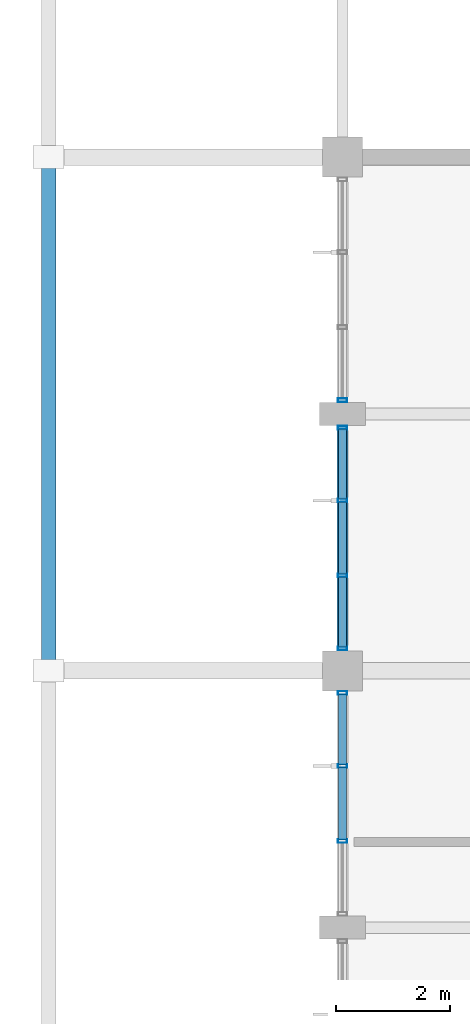
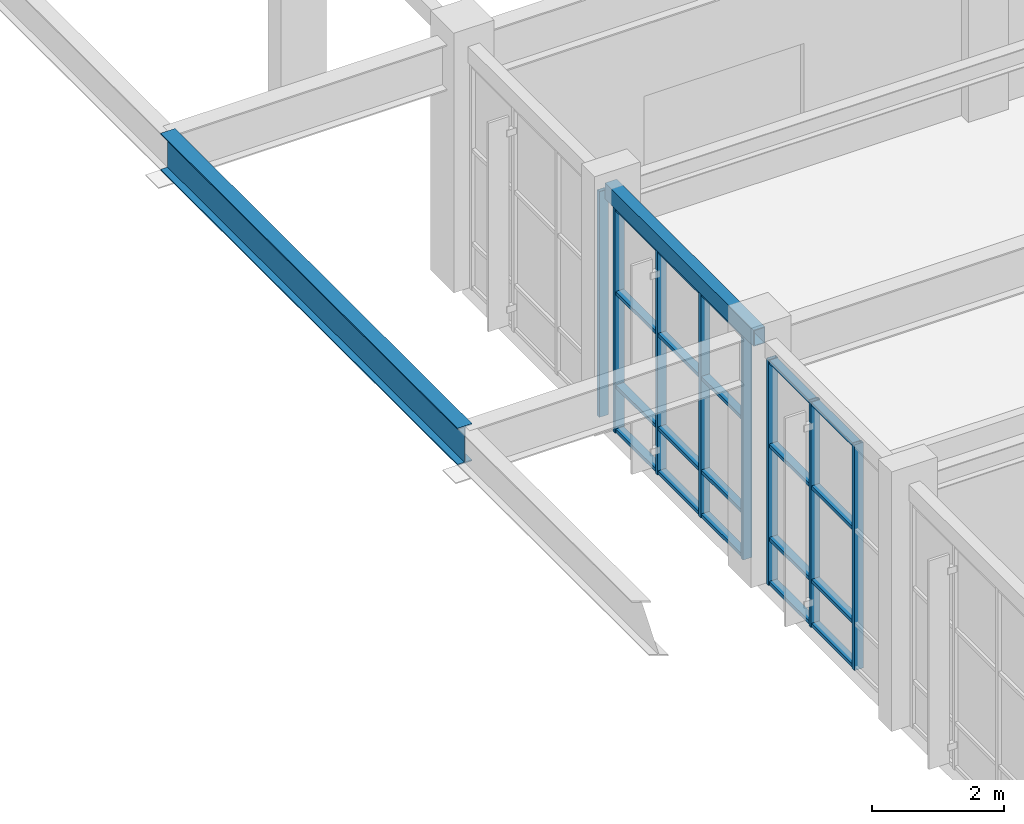
# One storey, part 24 of 99: 28 members, 2 beams, 3 elements without a shape of their own.
"""IFC4 building model written with IfcOpenShell, lengths in metres."""

from ifc_helpers import new_model, si_unit, direction, frame, origin, origin_2d, place, context, subcontext, project, spatial, hollow_rectangle, i_section, extrude, material, layer, layer_set, material_profile, profile_set, type_object, element, aggregate, save


model = new_model("IFC4")

# Units and contexts
model_context = context("Model", 3, precision=1e-05, world=origin(), true_north=direction((0.0, 1.0)))
body_context = subcontext(model_context, "Body", "Model", "MODEL_VIEW")
ifc_project = project(units=[si_unit("LENGTHUNIT", "METRE"), si_unit("AREAUNIT", "SQUARE_METRE"), si_unit("VOLUMEUNIT", "CUBIC_METRE"), si_unit("PLANEANGLEUNIT", "RADIAN"), si_unit("MASSUNIT", "GRAM", prefix="KILO")], contexts=[model_context])

# Site, building, storey
site_placement = place(None, origin())
site = spatial("IfcSite", under=ifc_project, at=site_placement, CompositionType="ELEMENT")
building_placement = place(site_placement, origin())
building = spatial("IfcBuilding", under=site, at=building_placement, Name="Ventoquebrada Cableway Terminal", CompositionType="ELEMENT")
storey_placement = place(building_placement, frame((0.0, 0.0, 9.60009765625)))
storey = spatial("IfcBuildingStorey", under=building, at=storey_placement, Name="L02", CompositionType="ELEMENT", Elevation=9.60009765625)

# Beam
ifc_material_1 = material(Name="Steel ASTM A992 Grade 50", Category="steel")
ifc_material_profile_1 = material_profile(ifc_material_1, i_section(OverallWidth=0.25390625, OverallDepth=0.68798828125, WebThickness=0.01318359375, FlangeThickness=0.02099609375, at=origin_2d()), Name="W27X102")
ifc_profile_set_1 = profile_set([ifc_material_profile_1], Name="Steel ASTM A992 Grade 50")
beam_type_1 = type_object("IfcBeamType", Name="BM-ST04", PredefinedType="BEAM", material=ifc_profile_set_1)
beam_1_placement = place(storey_placement, frame((3.050048828125, 95.0, 4.120849609375), z_axis=(0.0, 1.0, 0.0), x_axis=(-1.0, 0.0, 0.0)))
element("IfcBeam", 1, at=beam_1_placement, inside=storey, type_object=beam_type_1, Name="Cantilever edge girder CB-008", PredefinedType="BEAM", context=body_context, shape_type="SweptSolid", body=[
    extrude(i_section(OverallWidth=0.25390625, OverallDepth=0.68798828125, WebThickness=0.01318359375, FlangeThickness=0.02099609375, at=origin_2d()), origin(), (0.0, 0.0, 1.0), 9.0),
])

# Curtain wall, members
ifc_material_2 = material(Name="Anodized thermally-broken aluminium", Category="aluminium")
ifc_layer = layer(ifc_material_2, 0.159912109375)
ifc_layer_set = layer_set([ifc_layer], Name="Anodized thermally-broken aluminium")
curtain_wall_type = type_object("IfcCurtainWallType", Name="CW-T17", PredefinedType="USERDEFINED", material=ifc_layer_set)
curtain_wall_1_placement = place(storey_placement, origin())
curtain_wall_1 = element("IfcCurtainWall", 2, at=curtain_wall_1_placement, inside=storey, type_object=curtain_wall_type, Name="Unitised glazed curtain wall CW-047", ObjectType="UNITISED CURTAIN WALL", PredefinedType="USERDEFINED")
ifc_material_profile_2 = material_profile(ifc_material_2, hollow_rectangle(XDim=0.06494140625, YDim=0.159912109375, WallThickness=0.00390625, at=origin_2d()), Name="CW-MUL-65X160")
ifc_profile_set_2 = profile_set([ifc_material_profile_2], Name="Anodized thermally-broken aluminium")
member_type_1 = type_object("IfcMemberType", Name="CWM-01", PredefinedType="MULLION", material=ifc_profile_set_2)
member_1_placement = place(storey_placement, frame((8.199951171875, 94.610107421875, -0.008056640625), z_axis=(0.0, 0.0, 1.0), x_axis=(0.0, -1.0, 0.0)))
member_1 = element("IfcMember", 3, at=member_1_placement, type_object=member_type_1, Name="Curtain wall mullion FML-0212", PredefinedType="MULLION", context=body_context, shape_type="SweptSolid", body=[
    extrude(hollow_rectangle(XDim=0.06494140625, YDim=0.159912109375, WallThickness=0.00390625, at=origin_2d()), origin(), (0.0, 0.0, 1.0), 4.1728515625),
])
member_2_placement = place(storey_placement, frame((8.199951171875, 93.33203125, -0.008056640625), z_axis=(0.0, 0.0, 1.0), x_axis=(0.0, -1.0, 0.0)))
member_2 = element("IfcMember", 4, at=member_2_placement, type_object=member_type_1, Name="Curtain wall mullion FML-0213", PredefinedType="MULLION", context=body_context, shape_type="SweptSolid", body=[
    extrude(hollow_rectangle(XDim=0.06494140625, YDim=0.159912109375, WallThickness=0.00390625, at=origin_2d()), origin(), (0.0, 0.0, 1.0), 4.1728515625),
])
member_3_placement = place(storey_placement, frame((8.199951171875, 92.01806640625, -0.008056640625), z_axis=(0.0, 0.0, 1.0), x_axis=(0.0, -1.0, 0.0)))
member_3 = element("IfcMember", 5, at=member_3_placement, type_object=member_type_1, Name="Curtain wall mullion FML-0214", PredefinedType="MULLION", context=body_context, shape_type="SweptSolid", body=[
    extrude(hollow_rectangle(XDim=0.06494140625, YDim=0.159912109375, WallThickness=0.00390625, at=origin_2d()), origin(), (0.0, 0.0, 1.0), 4.1728515625),
])

# Curtain wall, member
curtain_wall_2_placement = place(storey_placement, origin())
curtain_wall_2 = element("IfcCurtainWall", 6, at=curtain_wall_2_placement, inside=storey, type_object=curtain_wall_type, Name="Unitised glazed curtain wall CW-049", ObjectType="UNITISED CURTAIN WALL", PredefinedType="USERDEFINED")
member_4_placement = place(storey_placement, frame((8.199951171875, 99.739990234375, -0.008056640625), z_axis=(0.0, 0.0, 1.0), x_axis=(0.0, -1.0, 0.0)))
member_4 = element("IfcMember", 7, at=member_4_placement, type_object=member_type_1, Name="Curtain wall mullion FML-0223", PredefinedType="MULLION", context=body_context, shape_type="SweptSolid", body=[
    extrude(hollow_rectangle(XDim=0.06494140625, YDim=0.159912109375, WallThickness=0.00390625, at=origin_2d()), origin(), (0.0, 0.0, 1.0), 4.1728515625),
])
aggregate(curtain_wall_2, [member_4])

# Curtain wall, members
curtain_wall_3_placement = place(storey_placement, origin())
curtain_wall_3 = element("IfcCurtainWall", 8, at=curtain_wall_3_placement, inside=storey, type_object=curtain_wall_type, Name="Unitised glazed curtain wall CW-050", ObjectType="UNITISED CURTAIN WALL", PredefinedType="USERDEFINED")
member_5_placement = place(storey_placement, frame((8.199951171875, 99.260009765625, -0.008056640625), z_axis=(0.0, 0.0, 1.0), x_axis=(0.0, -1.0, 0.0)))
member_5 = element("IfcMember", 9, at=member_5_placement, type_object=member_type_1, Name="Curtain wall mullion FML-0224", PredefinedType="MULLION", context=body_context, shape_type="SweptSolid", body=[
    extrude(hollow_rectangle(XDim=0.06494140625, YDim=0.159912109375, WallThickness=0.00390625, at=origin_2d()), origin(), (0.0, 0.0, 1.0), 4.1728515625),
])
member_6_placement = place(storey_placement, frame((8.199951171875, 97.98193359375, -0.008056640625), z_axis=(0.0, 0.0, 1.0), x_axis=(0.0, -1.0, 0.0)))
member_6 = element("IfcMember", 10, at=member_6_placement, type_object=member_type_1, Name="Curtain wall mullion FML-0225", PredefinedType="MULLION", context=body_context, shape_type="SweptSolid", body=[
    extrude(hollow_rectangle(XDim=0.06494140625, YDim=0.159912109375, WallThickness=0.00390625, at=origin_2d()), origin(), (0.0, 0.0, 1.0), 4.1728515625),
])
member_7_placement = place(storey_placement, frame((8.199951171875, 96.66796875, -0.008056640625), z_axis=(0.0, 0.0, 1.0), x_axis=(0.0, -1.0, 0.0)))
member_7 = element("IfcMember", 11, at=member_7_placement, type_object=member_type_1, Name="Curtain wall mullion FML-0226", PredefinedType="MULLION", context=body_context, shape_type="SweptSolid", body=[
    extrude(hollow_rectangle(XDim=0.06494140625, YDim=0.159912109375, WallThickness=0.00390625, at=origin_2d()), origin(), (0.0, 0.0, 1.0), 4.1728515625),
])
member_8_placement = place(storey_placement, frame((8.199951171875, 95.389892578125, -0.008056640625), z_axis=(0.0, 0.0, 1.0), x_axis=(0.0, -1.0, 0.0)))
member_8 = element("IfcMember", 12, at=member_8_placement, type_object=member_type_1, Name="Curtain wall mullion FML-0227", PredefinedType="MULLION", context=body_context, shape_type="SweptSolid", body=[
    extrude(hollow_rectangle(XDim=0.06494140625, YDim=0.159912109375, WallThickness=0.00390625, at=origin_2d()), origin(), (0.0, 0.0, 1.0), 4.1728515625),
])

# Member
ifc_material_profile_3 = material_profile(ifc_material_2, hollow_rectangle(XDim=0.06494140625, YDim=0.139892578125, WallThickness=0.00390625, at=origin_2d()), Name="CW-TRN-65X140")
ifc_profile_set_3 = profile_set([ifc_material_profile_3], Name="Anodized thermally-broken aluminium")
member_type_2 = type_object("IfcMemberType", Name="CWT-01", PredefinedType="USERDEFINED", material=ifc_profile_set_3)
member_9_placement = place(storey_placement, frame((8.199951171875, 94.58203125, 0.034912109375), z_axis=(0.0, -1.0, 0.0), x_axis=(0.0, 0.0, 1.0)))
member_9 = element("IfcMember", 13, at=member_9_placement, type_object=member_type_2, Name="Curtain wall transom FTR-0639", ObjectType="TRANSOM", PredefinedType="USERDEFINED", context=body_context, shape_type="SweptSolid", body=[
    extrude(hollow_rectangle(XDim=0.06494140625, YDim=0.139892578125, WallThickness=0.00390625, at=origin_2d()), origin(), (0.0, 0.0, 1.0), 1.22314453125),
])

member_10_placement = place(storey_placement, frame((8.199951171875, 94.58203125, 0.849853515625), z_axis=(0.0, -1.0, 0.0), x_axis=(0.0, 0.0, 1.0)))
member_10 = element("IfcMember", 14, at=member_10_placement, type_object=member_type_2, Name="Curtain wall transom FTR-0640", ObjectType="TRANSOM", PredefinedType="USERDEFINED", context=body_context, shape_type="SweptSolid", body=[
    extrude(hollow_rectangle(XDim=0.06494140625, YDim=0.139892578125, WallThickness=0.00390625, at=origin_2d()), origin(), (0.0, 0.0, 1.0), 1.22314453125),
])

member_11_placement = place(storey_placement, frame((8.199951171875, 94.58203125, 2.578857421875), z_axis=(0.0, -1.0, 0.0), x_axis=(0.0, 0.0, 1.0)))
member_11 = element("IfcMember", 15, at=member_11_placement, type_object=member_type_2, Name="Curtain wall transom FTR-0641", ObjectType="TRANSOM", PredefinedType="USERDEFINED", context=body_context, shape_type="SweptSolid", body=[
    extrude(hollow_rectangle(XDim=0.06494140625, YDim=0.139892578125, WallThickness=0.00390625, at=origin_2d()), origin(), (0.0, 0.0, 1.0), 1.22314453125),
])

member_12_placement = place(storey_placement, frame((8.199951171875, 94.58203125, 4.125), z_axis=(0.0, -1.0, 0.0), x_axis=(0.0, 0.0, 1.0)))
member_12 = element("IfcMember", 16, at=member_12_placement, type_object=member_type_2, Name="Curtain wall transom FTR-0642", ObjectType="TRANSOM", PredefinedType="USERDEFINED", context=body_context, shape_type="SweptSolid", body=[
    extrude(hollow_rectangle(XDim=0.06494140625, YDim=0.139892578125, WallThickness=0.00390625, at=origin_2d()), origin(), (0.0, 0.0, 1.0), 1.22314453125),
])

member_13_placement = place(storey_placement, frame((8.199951171875, 93.303955078125, 0.034912109375), z_axis=(0.0, -1.0, 0.0), x_axis=(0.0, 0.0, 1.0)))
member_13 = element("IfcMember", 17, at=member_13_placement, type_object=member_type_2, Name="Curtain wall transom FTR-0643", ObjectType="TRANSOM", PredefinedType="USERDEFINED", context=body_context, shape_type="SweptSolid", body=[
    extrude(hollow_rectangle(XDim=0.06494140625, YDim=0.139892578125, WallThickness=0.00390625, at=origin_2d()), origin(), (0.0, 0.0, 1.0), 1.258056640625),
])

member_14_placement = place(storey_placement, frame((8.199951171875, 93.303955078125, 0.849853515625), z_axis=(0.0, -1.0, 0.0), x_axis=(0.0, 0.0, 1.0)))
member_14 = element("IfcMember", 18, at=member_14_placement, type_object=member_type_2, Name="Curtain wall transom FTR-0644", ObjectType="TRANSOM", PredefinedType="USERDEFINED", context=body_context, shape_type="SweptSolid", body=[
    extrude(hollow_rectangle(XDim=0.06494140625, YDim=0.139892578125, WallThickness=0.00390625, at=origin_2d()), origin(), (0.0, 0.0, 1.0), 1.258056640625),
])

member_15_placement = place(storey_placement, frame((8.199951171875, 93.303955078125, 2.578857421875), z_axis=(0.0, -1.0, 0.0), x_axis=(0.0, 0.0, 1.0)))
member_15 = element("IfcMember", 19, at=member_15_placement, type_object=member_type_2, Name="Curtain wall transom FTR-0645", ObjectType="TRANSOM", PredefinedType="USERDEFINED", context=body_context, shape_type="SweptSolid", body=[
    extrude(hollow_rectangle(XDim=0.06494140625, YDim=0.139892578125, WallThickness=0.00390625, at=origin_2d()), origin(), (0.0, 0.0, 1.0), 1.258056640625),
])

member_16_placement = place(storey_placement, frame((8.199951171875, 93.303955078125, 4.125), z_axis=(0.0, -1.0, 0.0), x_axis=(0.0, 0.0, 1.0)))
member_16 = element("IfcMember", 20, at=member_16_placement, type_object=member_type_2, Name="Curtain wall transom FTR-0646", ObjectType="TRANSOM", PredefinedType="USERDEFINED", context=body_context, shape_type="SweptSolid", body=[
    extrude(hollow_rectangle(XDim=0.06494140625, YDim=0.139892578125, WallThickness=0.00390625, at=origin_2d()), origin(), (0.0, 0.0, 1.0), 1.258056640625),
])

aggregate(curtain_wall_1, [member_1, member_2, member_3, member_9, member_10, member_11, member_12, member_13, member_14, member_15, member_16])

member_17_placement = place(storey_placement, frame((8.199951171875, 99.23291015625, 0.034912109375), z_axis=(0.0, -1.0, 0.0), x_axis=(0.0, 0.0, 1.0)))
member_17 = element("IfcMember", 21, at=member_17_placement, type_object=member_type_2, Name="Curtain wall transom FTR-0675", ObjectType="TRANSOM", PredefinedType="USERDEFINED", context=body_context, shape_type="SweptSolid", body=[
    extrude(hollow_rectangle(XDim=0.06494140625, YDim=0.139892578125, WallThickness=0.00390625, at=origin_2d()), origin(), (0.0, 0.0, 1.0), 1.223876953125),
])

member_18_placement = place(storey_placement, frame((8.199951171875, 99.23291015625, 0.849853515625), z_axis=(0.0, -1.0, 0.0), x_axis=(0.0, 0.0, 1.0)))
member_18 = element("IfcMember", 22, at=member_18_placement, type_object=member_type_2, Name="Curtain wall transom FTR-0676", ObjectType="TRANSOM", PredefinedType="USERDEFINED", context=body_context, shape_type="SweptSolid", body=[
    extrude(hollow_rectangle(XDim=0.06494140625, YDim=0.139892578125, WallThickness=0.00390625, at=origin_2d()), origin(), (0.0, 0.0, 1.0), 1.223876953125),
])

member_19_placement = place(storey_placement, frame((8.199951171875, 99.23291015625, 2.578857421875), z_axis=(0.0, -1.0, 0.0), x_axis=(0.0, 0.0, 1.0)))
member_19 = element("IfcMember", 23, at=member_19_placement, type_object=member_type_2, Name="Curtain wall transom FTR-0677", ObjectType="TRANSOM", PredefinedType="USERDEFINED", context=body_context, shape_type="SweptSolid", body=[
    extrude(hollow_rectangle(XDim=0.06494140625, YDim=0.139892578125, WallThickness=0.00390625, at=origin_2d()), origin(), (0.0, 0.0, 1.0), 1.223876953125),
])

member_20_placement = place(storey_placement, frame((8.199951171875, 99.23291015625, 4.125), z_axis=(0.0, -1.0, 0.0), x_axis=(0.0, 0.0, 1.0)))
member_20 = element("IfcMember", 24, at=member_20_placement, type_object=member_type_2, Name="Curtain wall transom FTR-0678", ObjectType="TRANSOM", PredefinedType="USERDEFINED", context=body_context, shape_type="SweptSolid", body=[
    extrude(hollow_rectangle(XDim=0.06494140625, YDim=0.139892578125, WallThickness=0.00390625, at=origin_2d()), origin(), (0.0, 0.0, 1.0), 1.223876953125),
])

member_21_placement = place(storey_placement, frame((8.199951171875, 97.9541015625, 0.034912109375), z_axis=(0.0, -1.0, 0.0), x_axis=(0.0, 0.0, 1.0)))
member_21 = element("IfcMember", 25, at=member_21_placement, type_object=member_type_2, Name="Curtain wall transom FTR-0679", ObjectType="TRANSOM", PredefinedType="USERDEFINED", context=body_context, shape_type="SweptSolid", body=[
    extrude(hollow_rectangle(XDim=0.06494140625, YDim=0.139892578125, WallThickness=0.00390625, at=origin_2d()), origin(), (0.0, 0.0, 1.0), 1.258056640625),
])

member_22_placement = place(storey_placement, frame((8.199951171875, 97.9541015625, 0.849853515625), z_axis=(0.0, -1.0, 0.0), x_axis=(0.0, 0.0, 1.0)))
member_22 = element("IfcMember", 26, at=member_22_placement, type_object=member_type_2, Name="Curtain wall transom FTR-0680", ObjectType="TRANSOM", PredefinedType="USERDEFINED", context=body_context, shape_type="SweptSolid", body=[
    extrude(hollow_rectangle(XDim=0.06494140625, YDim=0.139892578125, WallThickness=0.00390625, at=origin_2d()), origin(), (0.0, 0.0, 1.0), 1.258056640625),
])

member_23_placement = place(storey_placement, frame((8.199951171875, 97.9541015625, 2.578857421875), z_axis=(0.0, -1.0, 0.0), x_axis=(0.0, 0.0, 1.0)))
member_23 = element("IfcMember", 27, at=member_23_placement, type_object=member_type_2, Name="Curtain wall transom FTR-0681", ObjectType="TRANSOM", PredefinedType="USERDEFINED", context=body_context, shape_type="SweptSolid", body=[
    extrude(hollow_rectangle(XDim=0.06494140625, YDim=0.139892578125, WallThickness=0.00390625, at=origin_2d()), origin(), (0.0, 0.0, 1.0), 1.258056640625),
])

member_24_placement = place(storey_placement, frame((8.199951171875, 97.9541015625, 4.125), z_axis=(0.0, -1.0, 0.0), x_axis=(0.0, 0.0, 1.0)))
member_24 = element("IfcMember", 28, at=member_24_placement, type_object=member_type_2, Name="Curtain wall transom FTR-0682", ObjectType="TRANSOM", PredefinedType="USERDEFINED", context=body_context, shape_type="SweptSolid", body=[
    extrude(hollow_rectangle(XDim=0.06494140625, YDim=0.139892578125, WallThickness=0.00390625, at=origin_2d()), origin(), (0.0, 0.0, 1.0), 1.258056640625),
])

member_25_placement = place(storey_placement, frame((8.199951171875, 96.64111328125, 0.034912109375), z_axis=(0.0, -1.0, 0.0), x_axis=(0.0, 0.0, 1.0)))
member_25 = element("IfcMember", 29, at=member_25_placement, type_object=member_type_2, Name="Curtain wall transom FTR-0683", ObjectType="TRANSOM", PredefinedType="USERDEFINED", context=body_context, shape_type="SweptSolid", body=[
    extrude(hollow_rectangle(XDim=0.06494140625, YDim=0.139892578125, WallThickness=0.00390625, at=origin_2d()), origin(), (0.0, 0.0, 1.0), 1.22314453125),
])

member_26_placement = place(storey_placement, frame((8.199951171875, 96.64111328125, 0.849853515625), z_axis=(0.0, -1.0, 0.0), x_axis=(0.0, 0.0, 1.0)))
member_26 = element("IfcMember", 30, at=member_26_placement, type_object=member_type_2, Name="Curtain wall transom FTR-0684", ObjectType="TRANSOM", PredefinedType="USERDEFINED", context=body_context, shape_type="SweptSolid", body=[
    extrude(hollow_rectangle(XDim=0.06494140625, YDim=0.139892578125, WallThickness=0.00390625, at=origin_2d()), origin(), (0.0, 0.0, 1.0), 1.22314453125),
])

member_27_placement = place(storey_placement, frame((8.199951171875, 96.64111328125, 2.578857421875), z_axis=(0.0, -1.0, 0.0), x_axis=(0.0, 0.0, 1.0)))
member_27 = element("IfcMember", 31, at=member_27_placement, type_object=member_type_2, Name="Curtain wall transom FTR-0685", ObjectType="TRANSOM", PredefinedType="USERDEFINED", context=body_context, shape_type="SweptSolid", body=[
    extrude(hollow_rectangle(XDim=0.06494140625, YDim=0.139892578125, WallThickness=0.00390625, at=origin_2d()), origin(), (0.0, 0.0, 1.0), 1.22314453125),
])

member_28_placement = place(storey_placement, frame((8.199951171875, 96.64111328125, 4.125), z_axis=(0.0, -1.0, 0.0), x_axis=(0.0, 0.0, 1.0)))
member_28 = element("IfcMember", 32, at=member_28_placement, type_object=member_type_2, Name="Curtain wall transom FTR-0686", ObjectType="TRANSOM", PredefinedType="USERDEFINED", context=body_context, shape_type="SweptSolid", body=[
    extrude(hollow_rectangle(XDim=0.06494140625, YDim=0.139892578125, WallThickness=0.00390625, at=origin_2d()), origin(), (0.0, 0.0, 1.0), 1.22314453125),
])

aggregate(curtain_wall_3, [member_5, member_6, member_7, member_8, member_17, member_18, member_19, member_20, member_21, member_22, member_23, member_24, member_25, member_26, member_27, member_28])

# Beam
ifc_material_3 = material(Name="Steel ASTM A500 Grade C", Category="steel")
ifc_material_profile_4 = material_profile(ifc_material_3, hollow_rectangle(XDim=0.199951171875, YDim=0.300048828125, WallThickness=0.012451171875, at=origin_2d()), Name="RHS300X200X12.5")
ifc_profile_set_4 = profile_set([ifc_material_profile_4], Name="Steel ASTM A500 Grade C")
beam_type_2 = type_object("IfcBeamType", Name="SP-ST02", PredefinedType="SPANDREL", material=ifc_profile_set_4)
beam_2_placement = place(storey_placement, frame((8.199951171875, 95.0, 4.31494140625), z_axis=(0.0, 1.0, 0.0), x_axis=(-1.0, 0.0, 0.0)))
element("IfcBeam", 33, at=beam_2_placement, inside=storey, type_object=beam_type_2, Name="Perimeter spandrel beam FBM-0465", PredefinedType="SPANDREL", context=body_context, shape_type="SweptSolid", body=[
    extrude(hollow_rectangle(XDim=0.199951171875, YDim=0.300048828125, WallThickness=0.012451171875, at=origin_2d()), origin(), (0.0, 0.0, 1.0), 4.5),
])

save(model, "model.ifc")
